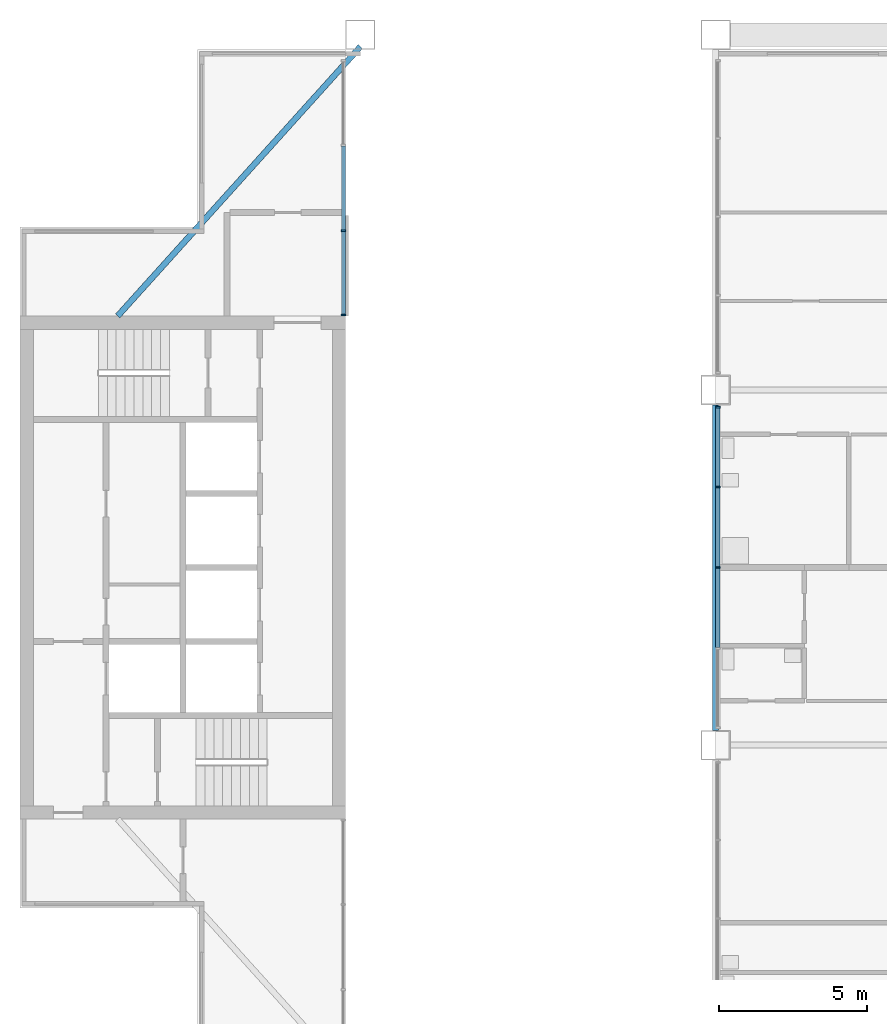
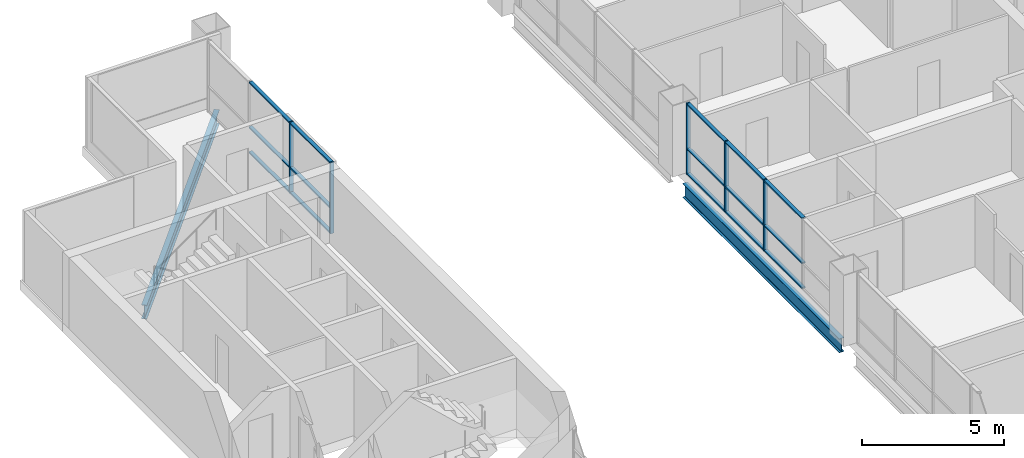
# One storey, part 3 of 12: 20 members, 2 beams, 2 elements without a shape of their own.
"""IFC4 building model written with IfcOpenShell, lengths in metres."""

from ifc_helpers import new_model, si_unit, direction, frame, origin, origin_2d, place, context, subcontext, project, spatial, rectangle, i_section, extrude, material, material_profile, profile_set, type_object, element, aggregate, save


model = new_model("IFC4")

# Units and contexts
model_context = context("Model", 3, precision=1e-05, world=origin(), true_north=direction((0.0, 1.0)))
body_context = subcontext(model_context, "Body", "Model", "MODEL_VIEW")
ifc_project = project(units=[si_unit("LENGTHUNIT", "METRE"), si_unit("AREAUNIT", "SQUARE_METRE"), si_unit("VOLUMEUNIT", "CUBIC_METRE"), si_unit("PLANEANGLEUNIT", "RADIAN"), si_unit("MASSUNIT", "GRAM", prefix="KILO")], contexts=[model_context])

# Site, building, storey
site_placement = place(None, origin())
site = spatial("IfcSite", under=ifc_project, at=site_placement, CompositionType="ELEMENT")
building_placement = place(site_placement, origin())
building = spatial("IfcBuilding", under=site, at=building_placement, Name="Kitamizu Gate Tower and Museum", CompositionType="ELEMENT")
storey_placement = place(building_placement, frame((0.0, 0.0, 255.89990234375)))
storey = spatial("IfcBuildingStorey", under=building, at=storey_placement, Name="L69", CompositionType="ELEMENT", Elevation=255.89990234375)

# Beams
ifc_material_1 = material(Name="Steel SM490A", Category="steel")
ifc_material_profile_1 = material_profile(ifc_material_1, i_section(OverallWidth=0.199951171875, OverallDepth=0.60009765625, WebThickness=0.010986328125, FlangeThickness=0.01708984375, FilletRadius=0.02197265625, at=origin_2d()), Name="H-600x200x11x17")
ifc_profile_set_1 = profile_set([ifc_material_profile_1], Name="Steel SM490A")
beam_type = type_object("IfcBeamType", Name="Floor girder FG1 H 600x200x11x17", PredefinedType="BEAM", material=ifc_profile_set_1)
beam_1_placement = place(storey_placement, frame((36.0, 24.5, -0.699951171875), z_axis=(0.0, 1.0, 0.0), x_axis=(-1.0, 0.0, 0.0)))
element("IfcBeam", 1, at=beam_1_placement, inside=storey, type_object=beam_type, Name="Floor girder FG1 x36 L69", PredefinedType="BEAM", context=body_context, shape_type="SweptSolid", body=[
    extrude(i_section(OverallWidth=0.199951171875, OverallDepth=0.60009765625, WebThickness=0.010986328125, FlangeThickness=0.01708984375, FilletRadius=0.02197265625, at=origin_2d()), origin(), (0.0, 0.0, 1.0), 11.0),
])
beam_2_placement = place(storey_placement, frame((24.0, 47.60009765625, -0.699951171875), z_axis=(-0.669409471884, -0.742893639057, 0.0), x_axis=(0.742893639057, -0.669409471884, 0.0)))
element("IfcBeam", 2, at=beam_2_placement, inside=storey, type_object=beam_type, Name="Portal flank girder N L69", PredefinedType="BEAM", context=body_context, shape_type="SweptSolid", body=[
    extrude(i_section(OverallWidth=0.199951171875, OverallDepth=0.60009765625, WebThickness=0.010986328125, FlangeThickness=0.01708984375, FilletRadius=0.02197265625, at=origin_2d()), origin(), (0.0, 0.0, 1.0), 12.24951171875),
])

# Curtain wall, members
ifc_material_2 = material(Name="Bronze anodised aluminium frame, tinted triple glazing", Category="aluminium")
curtain_wall_type = type_object("IfcCurtainWallType", Name="CURTAIN WALL TYPE C SKY AMENITY", PredefinedType="NOTDEFINED", material=ifc_material_2)
curtain_wall_1_placement = place(storey_placement, origin())
curtain_wall_1 = element("IfcCurtainWall", 3, at=curtain_wall_1_placement, inside=storey, type_object=curtain_wall_type, Name="Curtain wall CW-C portal W L69", PredefinedType="NOTDEFINED")
ifc_material_3 = material(Name="Bronze anodised aluminium", Category="aluminium")
ifc_material_profile_2 = material_profile(ifc_material_3, rectangle(XDim=0.06005859375, YDim=0.14990234375, at=origin_2d()), Name="AL 60X150")
ifc_profile_set_2 = profile_set([ifc_material_profile_2], Name="Bronze anodised aluminium")
member_type_1 = type_object("IfcMemberType", Name="MULLION 60 X 150 TYPE C", PredefinedType="MULLION", material=ifc_profile_set_2)
member_1_placement = place(storey_placement, frame((23.425048828125, 38.530029296875, 0.0), z_axis=(0.0, 0.0, 1.0), x_axis=(0.0, 1.0, 0.0)))
member_1 = element("IfcMember", 4, at=member_1_placement, type_object=member_type_1, Name="CW-C mullion 1", PredefinedType="MULLION", context=body_context, shape_type="SweptSolid", body=[
    extrude(rectangle(XDim=0.06005859375, YDim=0.14990234375, at=origin_2d()), origin(), (0.0, 0.0, 1.0), 3.050048828125),
])
member_2_placement = place(storey_placement, frame((23.425048828125, 41.38330078125, 0.0), z_axis=(0.0, 0.0, 1.0), x_axis=(0.0, 1.0, 0.0)))
member_2 = element("IfcMember", 5, at=member_2_placement, type_object=member_type_1, Name="CW-C mullion 2", PredefinedType="MULLION", context=body_context, shape_type="SweptSolid", body=[
    extrude(rectangle(XDim=0.06005859375, YDim=0.14990234375, at=origin_2d()), origin(), (0.0, 0.0, 1.0), 3.050048828125),
])

curtain_wall_2_placement = place(storey_placement, origin())
curtain_wall_2 = element("IfcCurtainWall", 6, at=curtain_wall_2_placement, inside=storey, type_object=curtain_wall_type, Name="Curtain wall CW-C portal E L69", PredefinedType="NOTDEFINED")
member_3_placement = place(storey_placement, frame((36.074951171875, 30.0, 0.0), z_axis=(0.0, 0.0, 1.0), x_axis=(0.0, 1.0, 0.0)))
member_3 = element("IfcMember", 7, at=member_3_placement, type_object=member_type_1, Name="CW-C mullion 3", PredefinedType="MULLION", context=body_context, shape_type="SweptSolid", body=[
    extrude(rectangle(XDim=0.06005859375, YDim=0.14990234375, at=origin_2d()), origin(), (0.0, 0.0, 1.0), 3.050048828125),
])
member_4_placement = place(storey_placement, frame((36.074951171875, 32.722412109375, 0.0), z_axis=(0.0, 0.0, 1.0), x_axis=(0.0, 1.0, 0.0)))
member_4 = element("IfcMember", 8, at=member_4_placement, type_object=member_type_1, Name="CW-C mullion 4", PredefinedType="MULLION", context=body_context, shape_type="SweptSolid", body=[
    extrude(rectangle(XDim=0.06005859375, YDim=0.14990234375, at=origin_2d()), origin(), (0.0, 0.0, 1.0), 3.050048828125),
])
member_5_placement = place(storey_placement, frame((36.074951171875, 35.4150390625, 0.0), z_axis=(0.0, 0.0, 1.0), x_axis=(0.0, 1.0, 0.0)))
member_5 = element("IfcMember", 9, at=member_5_placement, type_object=member_type_1, Name="CW-C mullion 5", PredefinedType="MULLION", context=body_context, shape_type="SweptSolid", body=[
    extrude(rectangle(XDim=0.06005859375, YDim=0.14990234375, at=origin_2d()), origin(), (0.0, 0.0, 1.0), 3.050048828125),
])

# Member
ifc_material_4 = material(Name="Bronze anodised aluminium", Category="aluminium")
ifc_material_profile_3 = material_profile(ifc_material_4, rectangle(XDim=0.139892578125, YDim=0.06005859375, at=origin_2d()), Name="AL 60X140")
ifc_profile_set_3 = profile_set([ifc_material_profile_3], Name="Bronze anodised aluminium")
member_type_2 = type_object("IfcMemberType", Name="TRANSOM 60 X 140 TYPE C", PredefinedType="USERDEFINED", material=ifc_profile_set_3)
member_6_placement = place(storey_placement, frame((23.425048828125, 38.56005859375, 0.030029296875), z_axis=(0.0, 1.0, 0.0), x_axis=(-1.0, 0.0, 0.0)))
member_6 = element("IfcMember", 10, at=member_6_placement, type_object=member_type_2, Name="CW-C transom 1.1", ObjectType="TRANSOM", PredefinedType="USERDEFINED", context=body_context, shape_type="SweptSolid", body=[
    extrude(rectangle(XDim=0.139892578125, YDim=0.06005859375, at=origin_2d()), origin(), (0.0, 0.0, 1.0), 2.793212890625),
])

member_7_placement = place(storey_placement, frame((23.425048828125, 38.56005859375, 1.10009765625), z_axis=(0.0, 1.0, 0.0), x_axis=(-1.0, 0.0, 0.0)))
member_7 = element("IfcMember", 11, at=member_7_placement, type_object=member_type_2, Name="CW-C transom 1.2", ObjectType="TRANSOM", PredefinedType="USERDEFINED", context=body_context, shape_type="SweptSolid", body=[
    extrude(rectangle(XDim=0.139892578125, YDim=0.06005859375, at=origin_2d()), origin(), (0.0, 0.0, 1.0), 2.793212890625),
])

member_8_placement = place(storey_placement, frame((23.425048828125, 38.56005859375, 3.02001953125), z_axis=(0.0, 1.0, 0.0), x_axis=(-1.0, 0.0, 0.0)))
member_8 = element("IfcMember", 12, at=member_8_placement, type_object=member_type_2, Name="CW-C transom 1.3", ObjectType="TRANSOM", PredefinedType="USERDEFINED", context=body_context, shape_type="SweptSolid", body=[
    extrude(rectangle(XDim=0.139892578125, YDim=0.06005859375, at=origin_2d()), origin(), (0.0, 0.0, 1.0), 2.793212890625),
])

member_9_placement = place(storey_placement, frame((23.425048828125, 41.413330078125, 0.030029296875), z_axis=(0.0, 1.0, 0.0), x_axis=(-1.0, 0.0, 0.0)))
member_9 = element("IfcMember", 13, at=member_9_placement, type_object=member_type_2, Name="CW-C transom 2.1", ObjectType="TRANSOM", PredefinedType="USERDEFINED", context=body_context, shape_type="SweptSolid", body=[
    extrude(rectangle(XDim=0.139892578125, YDim=0.06005859375, at=origin_2d()), origin(), (0.0, 0.0, 1.0), 2.8232421875),
])

member_10_placement = place(storey_placement, frame((23.425048828125, 41.413330078125, 1.10009765625), z_axis=(0.0, 1.0, 0.0), x_axis=(-1.0, 0.0, 0.0)))
member_10 = element("IfcMember", 14, at=member_10_placement, type_object=member_type_2, Name="CW-C transom 2.2", ObjectType="TRANSOM", PredefinedType="USERDEFINED", context=body_context, shape_type="SweptSolid", body=[
    extrude(rectangle(XDim=0.139892578125, YDim=0.06005859375, at=origin_2d()), origin(), (0.0, 0.0, 1.0), 2.8232421875),
])

member_11_placement = place(storey_placement, frame((23.425048828125, 41.413330078125, 3.02001953125), z_axis=(0.0, 1.0, 0.0), x_axis=(-1.0, 0.0, 0.0)))
member_11 = element("IfcMember", 15, at=member_11_placement, type_object=member_type_2, Name="CW-C transom 2.3", ObjectType="TRANSOM", PredefinedType="USERDEFINED", context=body_context, shape_type="SweptSolid", body=[
    extrude(rectangle(XDim=0.139892578125, YDim=0.06005859375, at=origin_2d()), origin(), (0.0, 0.0, 1.0), 2.8232421875),
])

aggregate(curtain_wall_1, [member_1, member_2, member_6, member_7, member_8, member_9, member_10, member_11])

member_12_placement = place(storey_placement, frame((36.074951171875, 27.3076171875, 0.030029296875), z_axis=(0.0, 1.0, 0.0), x_axis=(-1.0, 0.0, 0.0)))
member_12 = element("IfcMember", 16, at=member_12_placement, type_object=member_type_2, Name="CW-C transom 2.1", ObjectType="TRANSOM", PredefinedType="USERDEFINED", context=body_context, shape_type="SweptSolid", body=[
    extrude(rectangle(XDim=0.139892578125, YDim=0.06005859375, at=origin_2d()), origin(), (0.0, 0.0, 1.0), 2.662353515625),
])

member_13_placement = place(storey_placement, frame((36.074951171875, 27.3076171875, 1.10009765625), z_axis=(0.0, 1.0, 0.0), x_axis=(-1.0, 0.0, 0.0)))
member_13 = element("IfcMember", 17, at=member_13_placement, type_object=member_type_2, Name="CW-C transom 2.2", ObjectType="TRANSOM", PredefinedType="USERDEFINED", context=body_context, shape_type="SweptSolid", body=[
    extrude(rectangle(XDim=0.139892578125, YDim=0.06005859375, at=origin_2d()), origin(), (0.0, 0.0, 1.0), 2.662353515625),
])

member_14_placement = place(storey_placement, frame((36.074951171875, 27.3076171875, 3.02001953125), z_axis=(0.0, 1.0, 0.0), x_axis=(-1.0, 0.0, 0.0)))
member_14 = element("IfcMember", 18, at=member_14_placement, type_object=member_type_2, Name="CW-C transom 2.3", ObjectType="TRANSOM", PredefinedType="USERDEFINED", context=body_context, shape_type="SweptSolid", body=[
    extrude(rectangle(XDim=0.139892578125, YDim=0.06005859375, at=origin_2d()), origin(), (0.0, 0.0, 1.0), 2.662353515625),
])

member_15_placement = place(storey_placement, frame((36.074951171875, 30.030029296875, 0.030029296875), z_axis=(0.0, 1.0, 0.0), x_axis=(-1.0, 0.0, 0.0)))
member_15 = element("IfcMember", 19, at=member_15_placement, type_object=member_type_2, Name="CW-C transom 3.1", ObjectType="TRANSOM", PredefinedType="USERDEFINED", context=body_context, shape_type="SweptSolid", body=[
    extrude(rectangle(XDim=0.139892578125, YDim=0.06005859375, at=origin_2d()), origin(), (0.0, 0.0, 1.0), 2.662353515625),
])

member_16_placement = place(storey_placement, frame((36.074951171875, 30.030029296875, 1.10009765625), z_axis=(0.0, 1.0, 0.0), x_axis=(-1.0, 0.0, 0.0)))
member_16 = element("IfcMember", 20, at=member_16_placement, type_object=member_type_2, Name="CW-C transom 3.2", ObjectType="TRANSOM", PredefinedType="USERDEFINED", context=body_context, shape_type="SweptSolid", body=[
    extrude(rectangle(XDim=0.139892578125, YDim=0.06005859375, at=origin_2d()), origin(), (0.0, 0.0, 1.0), 2.662353515625),
])

member_17_placement = place(storey_placement, frame((36.074951171875, 30.030029296875, 3.02001953125), z_axis=(0.0, 1.0, 0.0), x_axis=(-1.0, 0.0, 0.0)))
member_17 = element("IfcMember", 21, at=member_17_placement, type_object=member_type_2, Name="CW-C transom 3.3", ObjectType="TRANSOM", PredefinedType="USERDEFINED", context=body_context, shape_type="SweptSolid", body=[
    extrude(rectangle(XDim=0.139892578125, YDim=0.06005859375, at=origin_2d()), origin(), (0.0, 0.0, 1.0), 2.662353515625),
])

member_18_placement = place(storey_placement, frame((36.074951171875, 32.75244140625, 0.030029296875), z_axis=(0.0, 1.0, 0.0), x_axis=(-1.0, 0.0, 0.0)))
member_18 = element("IfcMember", 22, at=member_18_placement, type_object=member_type_2, Name="CW-C transom 4.1", ObjectType="TRANSOM", PredefinedType="USERDEFINED", context=body_context, shape_type="SweptSolid", body=[
    extrude(rectangle(XDim=0.139892578125, YDim=0.06005859375, at=origin_2d()), origin(), (0.0, 0.0, 1.0), 2.632568359375),
])

member_19_placement = place(storey_placement, frame((36.074951171875, 32.75244140625, 1.10009765625), z_axis=(0.0, 1.0, 0.0), x_axis=(-1.0, 0.0, 0.0)))
member_19 = element("IfcMember", 23, at=member_19_placement, type_object=member_type_2, Name="CW-C transom 4.2", ObjectType="TRANSOM", PredefinedType="USERDEFINED", context=body_context, shape_type="SweptSolid", body=[
    extrude(rectangle(XDim=0.139892578125, YDim=0.06005859375, at=origin_2d()), origin(), (0.0, 0.0, 1.0), 2.632568359375),
])

member_20_placement = place(storey_placement, frame((36.074951171875, 32.75244140625, 3.02001953125), z_axis=(0.0, 1.0, 0.0), x_axis=(-1.0, 0.0, 0.0)))
member_20 = element("IfcMember", 24, at=member_20_placement, type_object=member_type_2, Name="CW-C transom 4.3", ObjectType="TRANSOM", PredefinedType="USERDEFINED", context=body_context, shape_type="SweptSolid", body=[
    extrude(rectangle(XDim=0.139892578125, YDim=0.06005859375, at=origin_2d()), origin(), (0.0, 0.0, 1.0), 2.632568359375),
])

aggregate(curtain_wall_2, [member_3, member_4, member_5, member_12, member_13, member_14, member_15, member_16, member_17, member_18, member_19, member_20])

save(model, "model.ifc")
